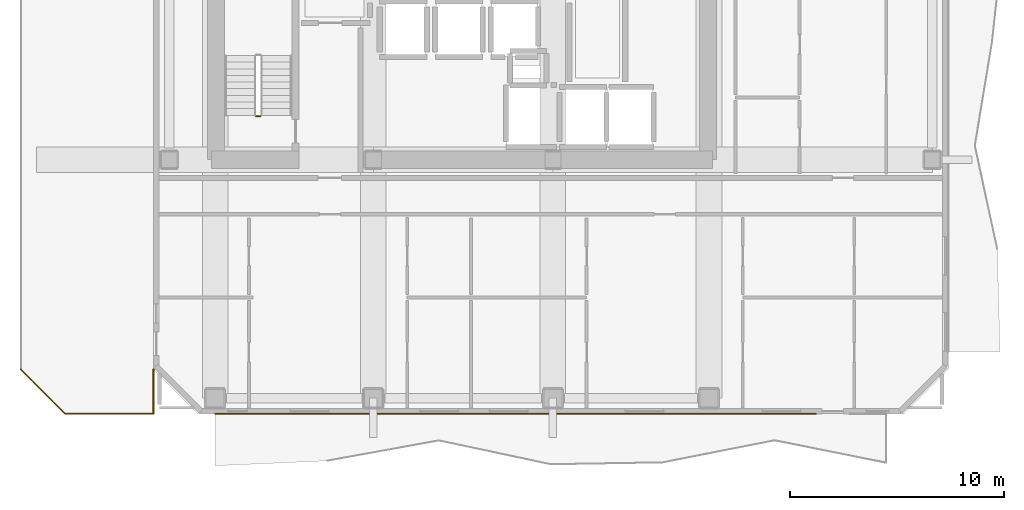
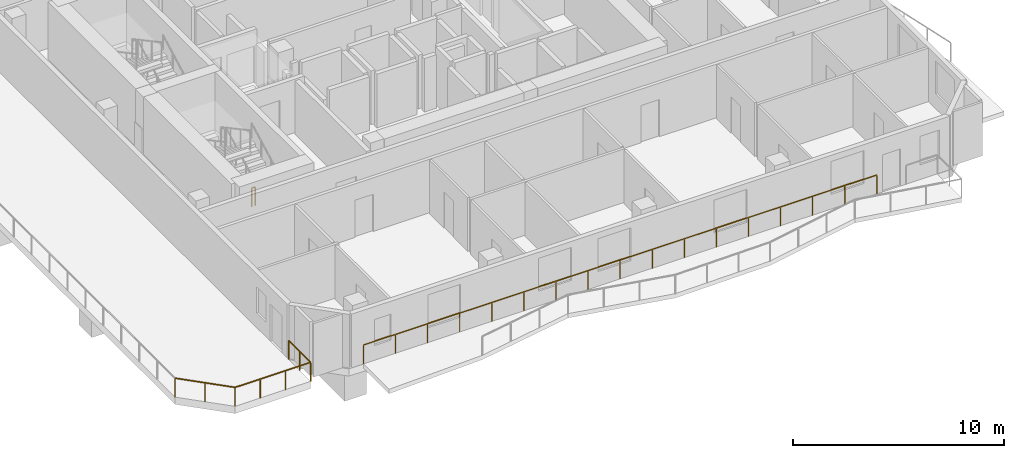
# One storey, part 7 of 10: 5 railings.
"""IFC4 building model written with IfcOpenShell, lengths in metres."""

from ifc_helpers import new_model, si_unit, direction, frame, origin, origin_2d, place, context, subcontext, project, spatial, rectangle, extrude, material, type_object, element, save


model = new_model("IFC4")

# Units and contexts
model_context = context("Model", 3, precision=1e-05, world=origin(), true_north=direction((0.0, 1.0)))
body_context = subcontext(model_context, "Body", "Model", "MODEL_VIEW")
ifc_project = project(units=[si_unit("LENGTHUNIT", "METRE"), si_unit("AREAUNIT", "SQUARE_METRE"), si_unit("VOLUMEUNIT", "CUBIC_METRE"), si_unit("PLANEANGLEUNIT", "RADIAN"), si_unit("MASSUNIT", "GRAM", prefix="KILO")], contexts=[model_context])

# Site, building, storey
site_placement = place(None, origin())
site = spatial("IfcSite", under=ifc_project, at=site_placement, CompositionType="ELEMENT")
building_placement = place(site_placement, origin())
building = spatial("IfcBuilding", under=site, at=building_placement, Name="Solanera Arch Residences", CompositionType="ELEMENT")
storey_placement = place(building_placement, frame((0.0, 0.0, 210.080078125)))
storey = spatial("IfcBuildingStorey", under=building, at=storey_placement, Name="L61", CompositionType="ELEMENT", Elevation=210.080078125)

# Railings
ifc_material_1 = material(Name="Steel S355 (ASTM A992 / A572 Grade 50)", Category="steel")
railing_type_1 = type_object("IfcRailingType", Name="Balustrade Railing BL-1100", PredefinedType="BALUSTRADE", material=ifc_material_1)
railing_1_placement = place(storey_placement, frame((41.489990234375, 10.1201171875, 0.0)))
element("IfcRailing", 1, at=railing_1_placement, inside=storey, type_object=railing_type_1, Name="L61 S Balcony Balustrade 2", PredefinedType="BALUSTRADE", context=body_context, shape_type="SweptSolid", body=[
    extrude(rectangle(XDim=0.048095703125, YDim=0.048095703125, at=origin_2d()), frame((0.0, 0.0, 1.09619140625), z_axis=(-1.0, 0.0, 0.0), x_axis=(0.0, -1.0, 0.0)), (0.0, 0.0, 1.0), 28.090087890625),
    extrude(rectangle(XDim=0.0419921875, YDim=0.0419921875, at=origin_2d()), origin(), (0.0, 0.0, 1.0), 1.072021484375),
    extrude(rectangle(XDim=0.0419921875, YDim=0.0419921875, at=origin_2d()), frame((-1.755615234375, 0.0, 0.0)), (0.0, 0.0, 1.0), 1.072021484375),
    extrude(rectangle(XDim=0.0419921875, YDim=0.0419921875, at=origin_2d()), frame((-3.51123046875, 0.0, 0.0)), (0.0, 0.0, 1.0), 1.072021484375),
    extrude(rectangle(XDim=0.0419921875, YDim=0.0419921875, at=origin_2d()), frame((-5.266845703125, 0.0, 0.0)), (0.0, 0.0, 1.0), 1.072021484375),
    extrude(rectangle(XDim=0.0419921875, YDim=0.0419921875, at=origin_2d()), frame((-7.0224609375, 0.0, 0.0)), (0.0, 0.0, 1.0), 1.072021484375),
    extrude(rectangle(XDim=0.0419921875, YDim=0.0419921875, at=origin_2d()), frame((-8.778076171875, 0.0, 0.0)), (0.0, 0.0, 1.0), 1.072021484375),
    extrude(rectangle(XDim=0.0419921875, YDim=0.0419921875, at=origin_2d()), frame((-10.53369140625, 0.0, 0.0)), (0.0, 0.0, 1.0), 1.072021484375),
    extrude(rectangle(XDim=0.0419921875, YDim=0.0419921875, at=origin_2d()), frame((-12.289306640625, 0.0, 0.0)), (0.0, 0.0, 1.0), 1.072021484375),
    extrude(rectangle(XDim=0.0419921875, YDim=0.0419921875, at=origin_2d()), frame((-14.044921875, 0.0, 0.0)), (0.0, 0.0, 1.0), 1.072021484375),
    extrude(rectangle(XDim=0.0419921875, YDim=0.0419921875, at=origin_2d()), frame((-15.80078125, 0.0, 0.0)), (0.0, 0.0, 1.0), 1.072021484375),
    extrude(rectangle(XDim=0.0419921875, YDim=0.0419921875, at=origin_2d()), frame((-17.556396484375, 0.0, 0.0)), (0.0, 0.0, 1.0), 1.072021484375),
    extrude(rectangle(XDim=0.0419921875, YDim=0.0419921875, at=origin_2d()), frame((-19.31201171875, 0.0, 0.0)), (0.0, 0.0, 1.0), 1.072021484375),
    extrude(rectangle(XDim=0.0419921875, YDim=0.0419921875, at=origin_2d()), frame((-21.067626953125, 0.0, 0.0)), (0.0, 0.0, 1.0), 1.072021484375),
    extrude(rectangle(XDim=0.0419921875, YDim=0.0419921875, at=origin_2d()), frame((-22.8232421875, 0.0, 0.0)), (0.0, 0.0, 1.0), 1.072021484375),
    extrude(rectangle(XDim=0.0419921875, YDim=0.0419921875, at=origin_2d()), frame((-24.578857421875, 0.0, 0.0)), (0.0, 0.0, 1.0), 1.072021484375),
    extrude(rectangle(XDim=0.0419921875, YDim=0.0419921875, at=origin_2d()), frame((-26.33447265625, 0.0, 0.0)), (0.0, 0.0, 1.0), 1.072021484375),
    extrude(rectangle(XDim=0.0419921875, YDim=0.0419921875, at=origin_2d()), frame((-28.090087890625, 0.0, 0.0)), (0.0, 0.0, 1.0), 1.072021484375),
])
railing_2_placement = place(storey_placement, frame((6.3798828125, 10.1201171875, 0.0)))
element("IfcRailing", 2, at=railing_2_placement, inside=storey, type_object=railing_type_1, Name="L61 Sky Terrace Guardrail 1", PredefinedType="BALUSTRADE", context=body_context, shape_type="SweptSolid", body=[
    extrude(rectangle(XDim=0.048095703125, YDim=0.048095703125, at=origin_2d()), frame((0.0, 0.0, 1.09619140625), z_axis=(1.0, 0.0, 0.0), x_axis=(0.0, 1.0, 0.0)), (0.0, 0.0, 1.0), 4.14013671875),
    extrude(rectangle(XDim=0.0419921875, YDim=0.0419921875, at=origin_2d()), origin(), (0.0, 0.0, 1.0), 1.072021484375),
    extrude(rectangle(XDim=0.0419921875, YDim=0.0419921875, at=origin_2d()), frame((1.380126953125, 0.0, 0.0)), (0.0, 0.0, 1.0), 1.072021484375),
    extrude(rectangle(XDim=0.0419921875, YDim=0.0419921875, at=origin_2d()), frame((2.760009765625, 0.0, 0.0)), (0.0, 0.0, 1.0), 1.072021484375),
    extrude(rectangle(XDim=0.0419921875, YDim=0.0419921875, at=origin_2d()), frame((4.14013671875, 0.0, 0.0)), (0.0, 0.0, 1.0), 1.072021484375),
])
railing_3_placement = place(storey_placement, frame((10.52001953125, 10.1201171875, 0.0)))
element("IfcRailing", 3, at=railing_3_placement, inside=storey, type_object=railing_type_1, Name="L61 Sky Terrace Guardrail 1", PredefinedType="BALUSTRADE", context=body_context, shape_type="SweptSolid", body=[
    extrude(rectangle(XDim=0.048095703125, YDim=0.048095703125, at=origin_2d()), frame((0.0, 0.0, 1.09619140625), z_axis=(0.0, 1.0, 0.0), x_axis=(-1.0, 0.0, 0.0)), (0.0, 0.0, 1.0), 2.087890625),
    extrude(rectangle(XDim=0.0419921875, YDim=0.0419921875, at=origin_2d()), origin(), (0.0, 0.0, 1.0), 1.072021484375),
    extrude(rectangle(XDim=0.0419921875, YDim=0.0419921875, at=origin_2d()), frame((0.0, 1.0439453125, 0.0)), (0.0, 0.0, 1.0), 1.072021484375),
    extrude(rectangle(XDim=0.0419921875, YDim=0.0419921875, at=origin_2d()), frame((0.0, 2.087890625, 0.0)), (0.0, 0.0, 1.0), 1.072021484375),
])
railing_4_placement = place(storey_placement, frame((4.300048828125, 12.199951171875, 0.0)))
element("IfcRailing", 4, at=railing_4_placement, inside=storey, type_object=railing_type_1, Name="L61 Sky Terrace Guardrail 1", PredefinedType="BALUSTRADE", context=body_context, shape_type="SweptSolid", body=[
    extrude(rectangle(XDim=0.048095703125, YDim=0.048095703125, at=origin_2d()), frame((0.0, 0.0, 1.09619140625), z_axis=(0.707106781187, -0.707106781187, 0.0), x_axis=(0.707106781187, 0.707106781187, 0.0)), (0.0, 0.0, 1.0), 2.94140625),
    extrude(rectangle(XDim=0.0419921875, YDim=0.0419921875, at=origin_2d()), origin(), (0.0, 0.0, 1.0), 1.072021484375),
    extrude(rectangle(XDim=0.0419921875, YDim=0.0419921875, at=origin_2d()), frame((1.0400390625, -1.0400390625, 0.0)), (0.0, 0.0, 1.0), 1.072021484375),
    extrude(rectangle(XDim=0.0419921875, YDim=0.0419921875, at=origin_2d()), frame((2.079833984375, -2.079833984375, 0.0)), (0.0, 0.0, 1.0), 1.072021484375),
])
ifc_material_2 = material(Name="Steel S355 (ASTM A992 / A572 Grade 50)", Category="steel")
railing_type_2 = type_object("IfcRailingType", Name="Stair Guardrail GR-1100", PredefinedType="GUARDRAIL", material=ifc_material_2)
railing_5_placement = place(storey_placement, frame((15.52001953125, 24.030029296875, -0.01513671875)))
element("IfcRailing", 5, at=railing_5_placement, inside=storey, type_object=railing_type_2, Name="L61 ST-T3 stair guard 4", PredefinedType="GUARDRAIL", context=body_context, shape_type="SweptSolid", body=[
    extrude(rectangle(XDim=0.048095703125, YDim=0.048095703125, at=origin_2d()), frame((0.0, 0.0, 1.076171875), z_axis=(-1.0, 0.0, 0.0), x_axis=(0.0, -1.0, 0.0)), (0.0, 0.0, 1.0), 0.199951171875),
    extrude(rectangle(XDim=0.0419921875, YDim=0.0419921875, at=origin_2d()), origin(), (0.0, 0.0, 1.0), 1.052001953125),
    extrude(rectangle(XDim=0.0419921875, YDim=0.0419921875, at=origin_2d()), frame((-0.199951171875, 0.0, 0.0)), (0.0, 0.0, 1.0), 1.052001953125),
])

save(model, "model.ifc")
